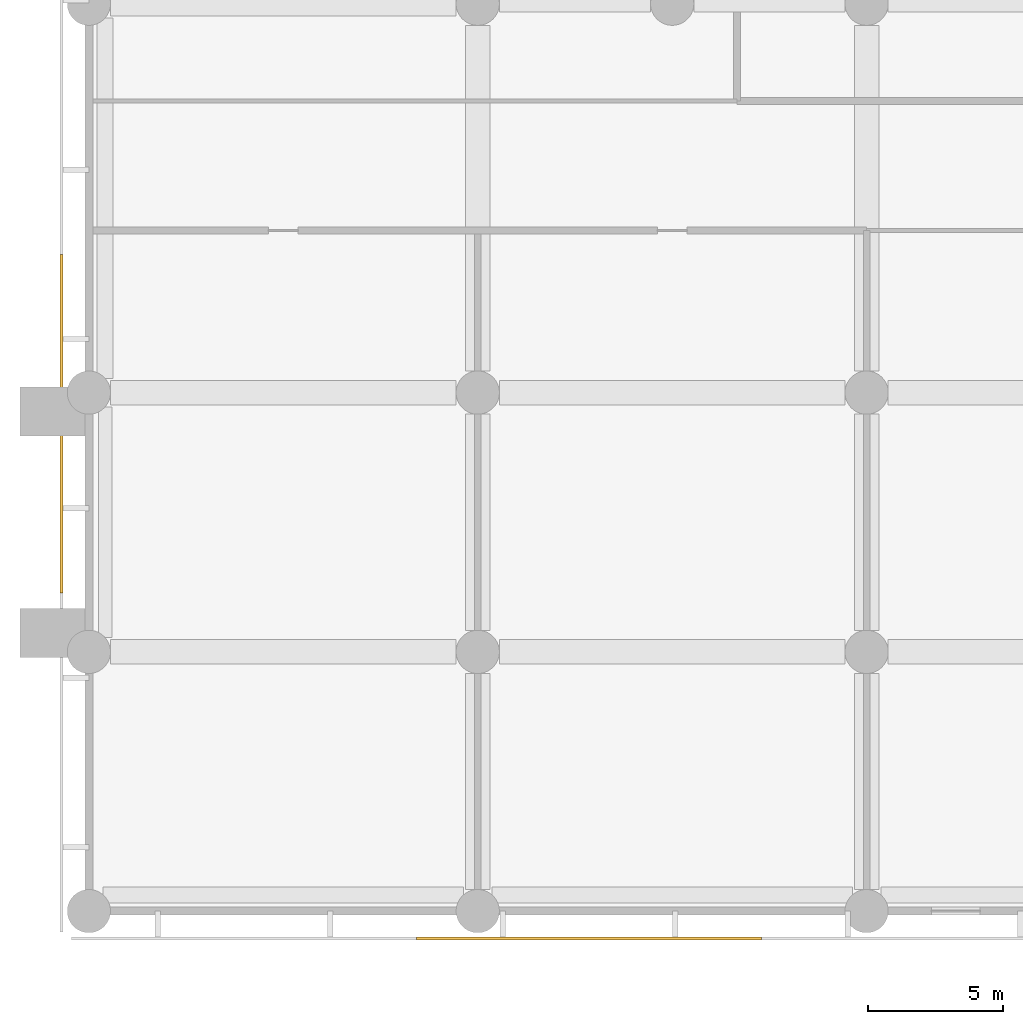
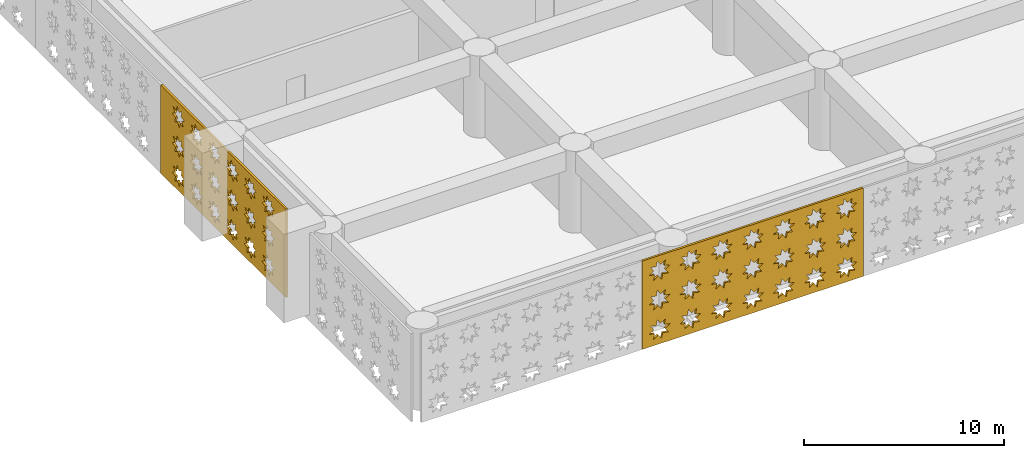
# One storey, part 14 of 30: 2 coverings.
"""IFC4 building model written with IfcOpenShell, lengths in metres."""

import ifcopenshell
import ifcopenshell.guid

model = None  # the IFC model being written
_history = None  # IfcOwnerHistory: only IFC2X3 demands one
_inside = {}  # id of a spatial element -> (the spatial element, [elements in it])
_under = {}  # id of a project, library or spatial element -> (it, [spatial elements below it])
_declared = {}  # id of a project -> (the project, [libraries it declares])
_typed = {}  # id of a type object -> (the type object, [elements of that type])
_made_of = {}  # id of a material, layer set ... -> (it, [elements and type objects made of it])


def new_model(schema):
    """Start an empty IFC model of exactly this schema.

    Asked for "IFC4X3", IfcOpenShell would pick the latest addendum, in which some entities
    have other attributes; the version numbers below select the first issue.
    IFC2X3 requires an IfcOwnerHistory on every rooted entity: one is made here for all.
    """
    global model, _history
    if schema == "IFC4X3":
        model = ifcopenshell.file(schema_version=(4, 3, 0, 0))
    else:
        model = ifcopenshell.file(schema=schema)
    _inside.clear()
    _under.clear()
    _declared.clear()
    _typed.clear()
    _made_of.clear()
    _history = None
    if model.schema == "IFC2X3":
        org = make("IfcOrganization", Name="unknown")
        user = make(
            "IfcPersonAndOrganization",
            ThePerson=make("IfcPerson", FamilyName="unknown"),
            TheOrganization=org,
        )
        app = make(
            "IfcApplication",
            ApplicationDeveloper=org,
            Version="unknown",
            ApplicationFullName="unknown",
            ApplicationIdentifier="unknown",
        )
        _history = make(
            "IfcOwnerHistory",
            OwningUser=user,
            OwningApplication=app,
            ChangeAction="ADDED",
            CreationDate=0,
        )
    return model


def make(cls, **values):
    """One entity of the class cls with the attributes given. An attribute that is None is left unset."""
    return model.create_entity(
        cls, **{name: value for name, value in values.items() if value is not None}
    )


def rooted(cls, **values):
    """An entity with a GlobalId (a new one), such as an element, a storey or a relation."""
    return make(cls, GlobalId=ifcopenshell.guid.new(), OwnerHistory=_history, **values)


def si_unit(unit_type, name, prefix=None):
    """IfcSIUnit, for example si_unit("LENGTHUNIT", "METRE", prefix="MILLI")."""
    return make("IfcSIUnit", UnitType=unit_type, Prefix=prefix, Name=name)


def assignment(units):
    """IfcUnitAssignment: the units of a project."""
    return None if units is None else make("IfcUnitAssignment", Units=units)


def point(xyz):
    """IfcCartesianPoint."""
    return None if xyz is None else make("IfcCartesianPoint", Coordinates=xyz)


def direction(xyz):
    """IfcDirection."""
    return None if xyz is None else make("IfcDirection", DirectionRatios=xyz)


def frame(location, z_axis=None, x_axis=None):
    """IfcAxis2Placement3D, a coordinate frame: its origin and axes. An axis left out is left unset."""
    return make(
        "IfcAxis2Placement3D",
        Location=point(location),
        Axis=direction(z_axis),
        RefDirection=direction(x_axis),
    )


def origin():
    """The frame at (0, 0, 0) with its axes left unset."""
    return frame((0.0, 0.0, 0.0))


def place(relative_to, where):
    """IfcLocalPlacement: puts the frame where relative to a parent placement (None: the world)."""
    return make(
        "IfcLocalPlacement", PlacementRelTo=relative_to, RelativePlacement=where
    )


def context(
    kind, dimensions, precision=None, world=None, true_north=None, identifier=None
):
    """IfcGeometricRepresentationContext, for example the 3D "Model" context."""
    return make(
        "IfcGeometricRepresentationContext",
        ContextIdentifier=identifier,
        ContextType=kind,
        CoordinateSpaceDimension=dimensions,
        Precision=precision,
        WorldCoordinateSystem=world,
        TrueNorth=true_north,
    )


def subcontext(parent, identifier, kind, view, scale=None):
    """IfcGeometricRepresentationSubContext, for example "Body" below "Model"."""
    return make(
        "IfcGeometricRepresentationSubContext",
        ContextIdentifier=identifier,
        ContextType=kind,
        ParentContext=parent,
        TargetScale=scale,
        TargetView=view,
    )


def project(units=None, contexts=None):
    """IfcProject with its units and contexts."""
    return rooted(
        "IfcProject",
        Name="project",
        RepresentationContexts=contexts,
        UnitsInContext=assignment(units),
    )


def spatial(cls, under=None, at=None, **own):
    """A site, building, storey or space (cls), placed at a placement, below another one or the project."""
    s = rooted(cls, ObjectPlacement=at, **own)
    if under is not None:
        _under.setdefault(under.id(), (under, []))[1].append(s)
    return s


def polyline(points):
    """IfcPolyline through the points."""
    return make("IfcPolyline", Points=[point(p) for p in points])


def outline(outer, holes=None, kind="AREA"):
    """IfcArbitraryClosedProfileDef: a profile drawn as a closed curve; with holes, ...WithVoids."""
    if holes is None:
        return make("IfcArbitraryClosedProfileDef", ProfileType=kind, OuterCurve=outer)
    return make(
        "IfcArbitraryProfileDefWithVoids",
        ProfileType=kind,
        OuterCurve=outer,
        InnerCurves=holes,
    )


def extrude(swept, where, along, depth):
    """IfcExtrudedAreaSolid: the profile swept, set in the frame where, extruded along a direction by depth."""
    return make(
        "IfcExtrudedAreaSolid",
        SweptArea=swept,
        Position=where,
        ExtrudedDirection=direction(along),
        Depth=depth,
    )


def shape(context_of_items, identifier, shape_type, items):
    """IfcShapeRepresentation: the items that make up one representation, for example the "Body"."""
    return make(
        "IfcShapeRepresentation",
        ContextOfItems=context_of_items,
        RepresentationIdentifier=identifier,
        RepresentationType=shape_type,
        Items=items,
    )


def material(Name=None, Category=None):
    """IfcMaterial."""
    return make("IfcMaterial", Name=Name, Category=Category)


def layer(
    of_material, thickness, ventilated=None, Name=None, Category=None, Priority=None
):
    """IfcMaterialLayer: one layer of a wall or slab, of a material (None: an air gap)."""
    return make(
        "IfcMaterialLayer",
        Material=of_material,
        LayerThickness=thickness,
        IsVentilated=ventilated,
        Name=Name,
        Category=Category,
        Priority=Priority,
    )


def layer_set(layers, Name=None):
    """IfcMaterialLayerSet."""
    return make("IfcMaterialLayerSet", MaterialLayers=layers, LayerSetName=Name)


def made_of(thing, what):
    """Note that an element or type object is made of a material, layer set ...; save() writes the relation."""
    if what is not None:
        _made_of.setdefault(what.id(), (what, []))[1].append(thing)
    return thing


def type_object(cls, material=None, **own):
    """A type object (cls), such as IfcWallType, which elements share."""
    return made_of(rooted(cls, **own), material)


def element(
    cls,
    number,
    at=None,
    inside=None,
    cuts=None,
    type_object=None,
    material=None,
    context=None,
    identifier="Body",
    shape_type=None,
    held_by="IfcProductDefinitionShape",
    body=None,
    shapes=None,
    **own,
):
    """One element of the class cls, such as IfcWall. Its Tag is "e" and its number.

    at: its placement. inside: the storey or other place that contains it. cuts: it is an
    opening in that element (IfcRelVoidsElement). A single representation is given by context,
    identifier, shape_type and body (its items); several are given by shapes. held_by: the class
    of the entity that holds the representations. save() writes the other relations.
    """
    e = rooted(cls, Tag="e%d" % number, ObjectPlacement=at, **own)
    if body is not None:
        shapes = [shape(context, identifier, shape_type, body)]
    if shapes is not None:
        e.Representation = make(held_by, Representations=shapes)
    if inside is not None:
        _inside.setdefault(inside.id(), (inside, []))[1].append(e)
    if cuts is not None:
        rooted(
            "IfcRelVoidsElement", RelatingBuildingElement=cuts, RelatedOpeningElement=e
        )
    if type_object is not None:
        _typed.setdefault(type_object.id(), (type_object, []))[1].append(e)
    return made_of(e, material)


def aggregate(whole, parts):
    """IfcRelAggregates: a whole, such as a stair, and the parts it consists of."""
    return rooted("IfcRelAggregates", RelatingObject=whole, RelatedObjects=parts)


def save(model, path):
    """Write the relations noted so far, then the file.

    IfcRelAggregates (storeys below a building ...), IfcRelContainedInSpatialStructure (elements
    in a storey), IfcRelDefinesByType, IfcRelAssociatesMaterial and IfcRelDeclares: one each for
    every whole, place, type object, material and project.
    """
    for whole, parts in _under.values():
        aggregate(whole, parts)
    for where, things in _inside.values():
        rooted(
            "IfcRelContainedInSpatialStructure",
            RelatedElements=things,
            RelatingStructure=where,
        )
    for kind, things in _typed.values():
        rooted("IfcRelDefinesByType", RelatedObjects=things, RelatingType=kind)
    for what, things in _made_of.values():
        rooted("IfcRelAssociatesMaterial", RelatedObjects=things, RelatingMaterial=what)
    for by, libraries in _declared.values():
        rooted("IfcRelDeclares", RelatingContext=by, RelatedDefinitions=libraries)
    model.write(path)


model = new_model("IFC4")

# Units and contexts
model_context = context("Model", 3, precision=1e-05, world=origin(), true_north=direction((0.0, 1.0)))
body_context = subcontext(model_context, "Body", "Model", "MODEL_VIEW")
ifc_project = project(units=[si_unit("LENGTHUNIT", "METRE"), si_unit("AREAUNIT", "SQUARE_METRE"), si_unit("VOLUMEUNIT", "CUBIC_METRE"), si_unit("PLANEANGLEUNIT", "RADIAN"), si_unit("MASSUNIT", "GRAM", prefix="KILO")], contexts=[model_context])

# Site, building, storey
site_placement = place(None, origin())
site = spatial("IfcSite", under=ifc_project, at=site_placement, CompositionType="ELEMENT")
building_placement = place(site_placement, origin())
building = spatial("IfcBuilding", under=site, at=building_placement, Name="Saffron Iwan Residences", CompositionType="ELEMENT")
storey_placement = place(building_placement, frame((0.0, 0.0, 7.800048828125)))
storey = spatial("IfcBuildingStorey", under=building, at=storey_placement, Name="L01", CompositionType="ELEMENT", Elevation=7.800048828125)

# Coverings
ifc_material = material(Name="Terracotta screen, precast concrete C40/50", Category="masonry")
ifc_layer = layer(ifc_material, 0.1201171875)
ifc_layer_set = layer_set([ifc_layer], Name="Terracotta screen, precast concrete C40/50")
covering_type = type_object("IfcCoveringType", Name="PODIUM SCREEN GIRIH", PredefinedType="CLADDING", material=ifc_layer_set)
covering_1_placement = place(storey_placement, frame((12.12744140625, -0.949951171875, -0.400146484375), z_axis=(0.0, -1.0, 0.0), x_axis=(1.0, 0.0, 0.0)))
element("IfcCovering", 1, at=covering_1_placement, inside=storey, type_object=covering_type, Name="SCREEN girih terracotta L01 F0.1", PredefinedType="CLADDING", context=body_context, shape_type="SweptSolid", body=[
    extrude(outline(polyline([(0.0, 0.0), (12.777587890625, 0.0), (12.777587890625, 5.39990234375), (0.0, 5.39990234375), (0.0, 0.0)]), holes=[polyline([(1.5966796875, 1.02099609375), (1.271484375, 1.0888671875), (1.333251953125, 1.41552734375), (1.05517578125, 1.2333984375), (0.867919921875, 1.508056640625), (0.7998046875, 1.1826171875), (0.47314453125, 1.244384765625), (0.6552734375, 0.96630859375), (0.380615234375, 0.779052734375), (0.7060546875, 0.711181640625), (0.644287109375, 0.384521484375), (0.92236328125, 0.56640625), (1.109619140625, 0.2919921875), (1.177490234375, 0.6171875), (1.50439453125, 0.555419921875), (1.322265625, 0.833740234375), (1.5966796875, 1.02099609375)]), polyline([(1.5966796875, 2.821044921875), (1.271484375, 2.888916015625), (1.333251953125, 3.215576171875), (1.05517578125, 3.033447265625), (0.867919921875, 3.30810546875), (0.7998046875, 2.982666015625), (0.47314453125, 3.04443359375), (0.6552734375, 2.766357421875), (0.380615234375, 2.5791015625), (0.7060546875, 2.510986328125), (0.644287109375, 2.1845703125), (0.92236328125, 2.366455078125), (1.109619140625, 2.091796875), (1.177490234375, 2.417236328125), (1.50439453125, 2.35546875), (1.322265625, 2.6337890625), (1.5966796875, 2.821044921875)]), polyline([(1.5966796875, 4.62109375), (1.271484375, 4.68896484375), (1.333251953125, 5.015380859375), (1.05517578125, 4.83349609375), (0.867919921875, 5.108154296875), (0.7998046875, 4.78271484375), (0.47314453125, 4.844482421875), (0.6552734375, 4.56640625), (0.380615234375, 4.37890625), (0.7060546875, 4.31103515625), (0.644287109375, 3.984619140625), (0.92236328125, 4.16650390625), (1.109619140625, 3.891845703125), (1.177490234375, 4.21728515625), (1.50439453125, 4.155517578125), (1.322265625, 4.43359375), (1.5966796875, 4.62109375)]), polyline([(3.396728515625, 1.02099609375), (3.0712890625, 1.0888671875), (3.13330078125, 1.41552734375), (2.85498046875, 1.2333984375), (2.667724609375, 1.508056640625), (2.599853515625, 1.1826171875), (2.273193359375, 1.244384765625), (2.455322265625, 0.96630859375), (2.1806640625, 0.779052734375), (2.506103515625, 0.711181640625), (2.4443359375, 0.384521484375), (2.722412109375, 0.56640625), (2.90966796875, 0.2919921875), (2.9775390625, 0.6171875), (3.30419921875, 0.555419921875), (3.122314453125, 0.833740234375), (3.396728515625, 1.02099609375)]), polyline([(3.396728515625, 2.821044921875), (3.0712890625, 2.888916015625), (3.13330078125, 3.215576171875), (2.85498046875, 3.033447265625), (2.667724609375, 3.30810546875), (2.599853515625, 2.982666015625), (2.273193359375, 3.04443359375), (2.455322265625, 2.766357421875), (2.1806640625, 2.5791015625), (2.506103515625, 2.510986328125), (2.4443359375, 2.1845703125), (2.722412109375, 2.366455078125), (2.90966796875, 2.091796875), (2.9775390625, 2.417236328125), (3.30419921875, 2.35546875), (3.122314453125, 2.6337890625), (3.396728515625, 2.821044921875)]), polyline([(3.396728515625, 4.62109375), (3.0712890625, 4.68896484375), (3.13330078125, 5.015380859375), (2.85498046875, 4.83349609375), (2.667724609375, 5.108154296875), (2.599853515625, 4.78271484375), (2.273193359375, 4.844482421875), (2.455322265625, 4.56640625), (2.1806640625, 4.37890625), (2.506103515625, 4.31103515625), (2.4443359375, 3.984619140625), (2.722412109375, 4.16650390625), (2.90966796875, 3.891845703125), (2.9775390625, 4.21728515625), (3.30419921875, 4.155517578125), (3.122314453125, 4.43359375), (3.396728515625, 4.62109375)]), polyline([(5.19677734375, 1.02099609375), (4.871337890625, 1.0888671875), (4.93310546875, 1.41552734375), (4.655029296875, 1.2333984375), (4.4677734375, 1.508056640625), (4.39990234375, 1.1826171875), (4.0732421875, 1.244384765625), (4.25537109375, 0.96630859375), (3.980712890625, 0.779052734375), (4.30615234375, 0.711181640625), (4.244384765625, 0.384521484375), (4.5224609375, 0.56640625), (4.709716796875, 0.2919921875), (4.777587890625, 0.6171875), (5.104248046875, 0.555419921875), (4.922119140625, 0.833740234375), (5.19677734375, 1.02099609375)]), polyline([(5.19677734375, 2.821044921875), (4.871337890625, 2.888916015625), (4.93310546875, 3.215576171875), (4.655029296875, 3.033447265625), (4.4677734375, 3.30810546875), (4.39990234375, 2.982666015625), (4.0732421875, 3.04443359375), (4.25537109375, 2.766357421875), (3.980712890625, 2.5791015625), (4.30615234375, 2.510986328125), (4.244384765625, 2.1845703125), (4.5224609375, 2.366455078125), (4.709716796875, 2.091796875), (4.777587890625, 2.417236328125), (5.104248046875, 2.35546875), (4.922119140625, 2.6337890625), (5.19677734375, 2.821044921875)]), polyline([(5.19677734375, 4.62109375), (4.871337890625, 4.68896484375), (4.93310546875, 5.015380859375), (4.655029296875, 4.83349609375), (4.4677734375, 5.108154296875), (4.39990234375, 4.78271484375), (4.0732421875, 4.844482421875), (4.25537109375, 4.56640625), (3.980712890625, 4.37890625), (4.30615234375, 4.31103515625), (4.244384765625, 3.984619140625), (4.5224609375, 4.16650390625), (4.709716796875, 3.891845703125), (4.777587890625, 4.21728515625), (5.104248046875, 4.155517578125), (4.922119140625, 4.43359375), (5.19677734375, 4.62109375)]), polyline([(6.996826171875, 1.02099609375), (6.67138671875, 1.0888671875), (6.733154296875, 1.41552734375), (6.455078125, 1.2333984375), (6.267822265625, 1.508056640625), (6.199951171875, 1.1826171875), (5.873291015625, 1.244384765625), (6.055419921875, 0.96630859375), (5.78076171875, 0.779052734375), (6.106201171875, 0.711181640625), (6.044189453125, 0.384521484375), (6.322509765625, 0.56640625), (6.509765625, 0.2919921875), (6.57763671875, 0.6171875), (6.904296875, 0.555419921875), (6.72216796875, 0.833740234375), (6.996826171875, 1.02099609375)]), polyline([(6.996826171875, 2.821044921875), (6.67138671875, 2.888916015625), (6.733154296875, 3.215576171875), (6.455078125, 3.033447265625), (6.267822265625, 3.30810546875), (6.199951171875, 2.982666015625), (5.873291015625, 3.04443359375), (6.055419921875, 2.766357421875), (5.78076171875, 2.5791015625), (6.106201171875, 2.510986328125), (6.044189453125, 2.1845703125), (6.322509765625, 2.366455078125), (6.509765625, 2.091796875), (6.57763671875, 2.417236328125), (6.904296875, 2.35546875), (6.72216796875, 2.6337890625), (6.996826171875, 2.821044921875)]), polyline([(6.996826171875, 4.62109375), (6.67138671875, 4.68896484375), (6.733154296875, 5.015380859375), (6.455078125, 4.83349609375), (6.267822265625, 5.108154296875), (6.199951171875, 4.78271484375), (5.873291015625, 4.844482421875), (6.055419921875, 4.56640625), (5.78076171875, 4.37890625), (6.106201171875, 4.31103515625), (6.044189453125, 3.984619140625), (6.322509765625, 4.16650390625), (6.509765625, 3.891845703125), (6.57763671875, 4.21728515625), (6.904296875, 4.155517578125), (6.72216796875, 4.43359375), (6.996826171875, 4.62109375)]), polyline([(8.796875, 1.02099609375), (8.471435546875, 1.0888671875), (8.533203125, 1.41552734375), (8.255126953125, 1.2333984375), (8.06787109375, 1.508056640625), (8.0, 1.1826171875), (7.673095703125, 1.244384765625), (7.855224609375, 0.96630859375), (7.580810546875, 0.779052734375), (7.906005859375, 0.711181640625), (7.84423828125, 0.384521484375), (8.122314453125, 0.56640625), (8.309814453125, 0.2919921875), (8.377685546875, 0.6171875), (8.704345703125, 0.555419921875), (8.522216796875, 0.833740234375), (8.796875, 1.02099609375)]), polyline([(8.796875, 2.821044921875), (8.471435546875, 2.888916015625), (8.533203125, 3.215576171875), (8.255126953125, 3.033447265625), (8.06787109375, 3.30810546875), (8.0, 2.982666015625), (7.673095703125, 3.04443359375), (7.855224609375, 2.766357421875), (7.580810546875, 2.5791015625), (7.906005859375, 2.510986328125), (7.84423828125, 2.1845703125), (8.122314453125, 2.366455078125), (8.309814453125, 2.091796875), (8.377685546875, 2.417236328125), (8.704345703125, 2.35546875), (8.522216796875, 2.6337890625), (8.796875, 2.821044921875)]), polyline([(8.796875, 4.62109375), (8.471435546875, 4.68896484375), (8.533203125, 5.015380859375), (8.255126953125, 4.83349609375), (8.06787109375, 5.108154296875), (8.0, 4.78271484375), (7.673095703125, 4.844482421875), (7.855224609375, 4.56640625), (7.580810546875, 4.37890625), (7.906005859375, 4.31103515625), (7.84423828125, 3.984619140625), (8.122314453125, 4.16650390625), (8.309814453125, 3.891845703125), (8.377685546875, 4.21728515625), (8.704345703125, 4.155517578125), (8.522216796875, 4.43359375), (8.796875, 4.62109375)]), polyline([(10.5966796875, 1.02099609375), (10.271484375, 1.0888671875), (10.333251953125, 1.41552734375), (10.05517578125, 1.2333984375), (9.867919921875, 1.508056640625), (9.7998046875, 1.1826171875), (9.47314453125, 1.244384765625), (9.6552734375, 0.96630859375), (9.380615234375, 0.779052734375), (9.7060546875, 0.711181640625), (9.644287109375, 0.384521484375), (9.92236328125, 0.56640625), (10.109619140625, 0.2919921875), (10.177490234375, 0.6171875), (10.50439453125, 0.555419921875), (10.322265625, 0.833740234375), (10.5966796875, 1.02099609375)]), polyline([(10.5966796875, 2.821044921875), (10.271484375, 2.888916015625), (10.333251953125, 3.215576171875), (10.05517578125, 3.033447265625), (9.867919921875, 3.30810546875), (9.7998046875, 2.982666015625), (9.47314453125, 3.04443359375), (9.6552734375, 2.766357421875), (9.380615234375, 2.5791015625), (9.7060546875, 2.510986328125), (9.644287109375, 2.1845703125), (9.92236328125, 2.366455078125), (10.109619140625, 2.091796875), (10.177490234375, 2.417236328125), (10.50439453125, 2.35546875), (10.322265625, 2.6337890625), (10.5966796875, 2.821044921875)]), polyline([(10.5966796875, 4.62109375), (10.271484375, 4.68896484375), (10.333251953125, 5.015380859375), (10.05517578125, 4.83349609375), (9.867919921875, 5.108154296875), (9.7998046875, 4.78271484375), (9.47314453125, 4.844482421875), (9.6552734375, 4.56640625), (9.380615234375, 4.37890625), (9.7060546875, 4.31103515625), (9.644287109375, 3.984619140625), (9.92236328125, 4.16650390625), (10.109619140625, 3.891845703125), (10.177490234375, 4.21728515625), (10.50439453125, 4.155517578125), (10.322265625, 4.43359375), (10.5966796875, 4.62109375)]), polyline([(12.396728515625, 1.02099609375), (12.0712890625, 1.0888671875), (12.13330078125, 1.41552734375), (11.85498046875, 1.2333984375), (11.667724609375, 1.508056640625), (11.599853515625, 1.1826171875), (11.273193359375, 1.244384765625), (11.455322265625, 0.96630859375), (11.1806640625, 0.779052734375), (11.506103515625, 0.711181640625), (11.4443359375, 0.384521484375), (11.722412109375, 0.56640625), (11.90966796875, 0.2919921875), (11.9775390625, 0.6171875), (12.30419921875, 0.555419921875), (12.122314453125, 0.833740234375), (12.396728515625, 1.02099609375)]), polyline([(12.396728515625, 2.821044921875), (12.0712890625, 2.888916015625), (12.13330078125, 3.215576171875), (11.85498046875, 3.033447265625), (11.667724609375, 3.30810546875), (11.599853515625, 2.982666015625), (11.273193359375, 3.04443359375), (11.455322265625, 2.766357421875), (11.1806640625, 2.5791015625), (11.506103515625, 2.510986328125), (11.4443359375, 2.1845703125), (11.722412109375, 2.366455078125), (11.90966796875, 2.091796875), (11.9775390625, 2.417236328125), (12.30419921875, 2.35546875), (12.122314453125, 2.6337890625), (12.396728515625, 2.821044921875)]), polyline([(12.396728515625, 4.62109375), (12.0712890625, 4.68896484375), (12.13330078125, 5.015380859375), (11.85498046875, 4.83349609375), (11.667724609375, 5.108154296875), (11.599853515625, 4.78271484375), (11.273193359375, 4.844482421875), (11.455322265625, 4.56640625), (11.1806640625, 4.37890625), (11.506103515625, 4.31103515625), (11.4443359375, 3.984619140625), (11.722412109375, 4.16650390625), (11.90966796875, 3.891845703125), (11.9775390625, 4.21728515625), (12.30419921875, 4.155517578125), (12.122314453125, 4.43359375), (12.396728515625, 4.62109375)])]), origin(), (0.0, 0.0, 1.0), 0.1201171875),
])
covering_2_placement = place(storey_placement, frame((-0.949951171875, 24.3212890625, -0.400146484375), z_axis=(-1.0, 0.0, 0.0), x_axis=(0.0, -1.0, 0.0)))
element("IfcCovering", 2, at=covering_2_placement, inside=storey, type_object=covering_type, Name="SCREEN girih terracotta L01 F3.5", PredefinedType="CLADDING", context=body_context, shape_type="SweptSolid", body=[
    extrude(outline(polyline([(0.0, 0.0), (12.545654296875, 0.0), (12.545654296875, 5.39990234375), (0.0, 5.39990234375), (0.0, 0.0)]), holes=[polyline([(2.380859375, 1.02099609375), (2.0556640625, 1.0888671875), (2.1171875, 1.41552734375), (1.839111328125, 1.2333984375), (1.65185546875, 1.508056640625), (1.583984375, 1.1826171875), (1.25732421875, 1.244384765625), (1.439453125, 0.96630859375), (1.164794921875, 0.779052734375), (1.490234375, 0.711181640625), (1.428466796875, 0.384521484375), (1.70654296875, 0.56640625), (1.893798828125, 0.2919921875), (1.9619140625, 0.6171875), (2.288330078125, 0.555419921875), (2.106201171875, 0.833740234375), (2.380859375, 1.02099609375)]), polyline([(2.380859375, 2.821044921875), (2.0556640625, 2.888916015625), (2.1171875, 3.215576171875), (1.839111328125, 3.033447265625), (1.65185546875, 3.30810546875), (1.583984375, 2.982666015625), (1.25732421875, 3.04443359375), (1.439453125, 2.766357421875), (1.164794921875, 2.5791015625), (1.490234375, 2.510986328125), (1.428466796875, 2.1845703125), (1.70654296875, 2.366455078125), (1.893798828125, 2.091796875), (1.9619140625, 2.417236328125), (2.288330078125, 2.35546875), (2.106201171875, 2.6337890625), (2.380859375, 2.821044921875)]), polyline([(2.380859375, 4.62109375), (2.0556640625, 4.68896484375), (2.1171875, 5.015380859375), (1.839111328125, 4.83349609375), (1.65185546875, 5.108154296875), (1.583984375, 4.78271484375), (1.25732421875, 4.844482421875), (1.439453125, 4.56640625), (1.164794921875, 4.37890625), (1.490234375, 4.31103515625), (1.428466796875, 3.984619140625), (1.70654296875, 4.16650390625), (1.893798828125, 3.891845703125), (1.9619140625, 4.21728515625), (2.288330078125, 4.155517578125), (2.106201171875, 4.43359375), (2.380859375, 4.62109375)]), polyline([(4.180908203125, 1.02099609375), (3.855712890625, 1.0888671875), (3.917236328125, 1.41552734375), (3.63916015625, 1.2333984375), (3.451904296875, 1.508056640625), (3.384033203125, 1.1826171875), (3.057373046875, 1.244384765625), (3.239501953125, 0.96630859375), (2.96484375, 0.779052734375), (3.290283203125, 0.711181640625), (3.228515625, 0.384521484375), (3.506591796875, 0.56640625), (3.69384765625, 0.2919921875), (3.76171875, 0.6171875), (4.08837890625, 0.555419921875), (3.90625, 0.833740234375), (4.180908203125, 1.02099609375)]), polyline([(4.180908203125, 2.821044921875), (3.855712890625, 2.888916015625), (3.917236328125, 3.215576171875), (3.63916015625, 3.033447265625), (3.451904296875, 3.30810546875), (3.384033203125, 2.982666015625), (3.057373046875, 3.04443359375), (3.239501953125, 2.766357421875), (2.96484375, 2.5791015625), (3.290283203125, 2.510986328125), (3.228515625, 2.1845703125), (3.506591796875, 2.366455078125), (3.69384765625, 2.091796875), (3.76171875, 2.417236328125), (4.08837890625, 2.35546875), (3.90625, 2.6337890625), (4.180908203125, 2.821044921875)]), polyline([(4.180908203125, 4.62109375), (3.855712890625, 4.68896484375), (3.917236328125, 5.015380859375), (3.63916015625, 4.83349609375), (3.451904296875, 5.108154296875), (3.384033203125, 4.78271484375), (3.057373046875, 4.844482421875), (3.239501953125, 4.56640625), (2.96484375, 4.37890625), (3.290283203125, 4.31103515625), (3.228515625, 3.984619140625), (3.506591796875, 4.16650390625), (3.69384765625, 3.891845703125), (3.76171875, 4.21728515625), (4.08837890625, 4.155517578125), (3.90625, 4.43359375), (4.180908203125, 4.62109375)]), polyline([(5.98095703125, 1.02099609375), (5.655517578125, 1.0888671875), (5.71728515625, 1.41552734375), (5.439208984375, 1.2333984375), (5.251953125, 1.508056640625), (5.18408203125, 1.1826171875), (4.857421875, 1.244384765625), (5.039306640625, 0.96630859375), (4.764892578125, 0.779052734375), (5.090087890625, 0.711181640625), (5.0283203125, 0.384521484375), (5.306396484375, 0.56640625), (5.493896484375, 0.2919921875), (5.561767578125, 0.6171875), (5.888427734375, 0.555419921875), (5.706298828125, 0.833740234375), (5.98095703125, 1.02099609375)]), polyline([(5.98095703125, 2.821044921875), (5.655517578125, 2.888916015625), (5.71728515625, 3.215576171875), (5.439208984375, 3.033447265625), (5.251953125, 3.30810546875), (5.18408203125, 2.982666015625), (4.857421875, 3.04443359375), (5.039306640625, 2.766357421875), (4.764892578125, 2.5791015625), (5.090087890625, 2.510986328125), (5.0283203125, 2.1845703125), (5.306396484375, 2.366455078125), (5.493896484375, 2.091796875), (5.561767578125, 2.417236328125), (5.888427734375, 2.35546875), (5.706298828125, 2.6337890625), (5.98095703125, 2.821044921875)]), polyline([(5.98095703125, 4.62109375), (5.655517578125, 4.68896484375), (5.71728515625, 5.015380859375), (5.439208984375, 4.83349609375), (5.251953125, 5.108154296875), (5.18408203125, 4.78271484375), (4.857421875, 4.844482421875), (5.039306640625, 4.56640625), (4.764892578125, 4.37890625), (5.090087890625, 4.31103515625), (5.0283203125, 3.984619140625), (5.306396484375, 4.16650390625), (5.493896484375, 3.891845703125), (5.561767578125, 4.21728515625), (5.888427734375, 4.155517578125), (5.706298828125, 4.43359375), (5.98095703125, 4.62109375)]), polyline([(7.781005859375, 1.02099609375), (7.45556640625, 1.0888671875), (7.517333984375, 1.41552734375), (7.2392578125, 1.2333984375), (7.052001953125, 1.508056640625), (6.98388671875, 1.1826171875), (6.6572265625, 1.244384765625), (6.83935546875, 0.96630859375), (6.564697265625, 0.779052734375), (6.89013671875, 0.711181640625), (6.828369140625, 0.384521484375), (7.1064453125, 0.56640625), (7.293701171875, 0.2919921875), (7.36181640625, 0.6171875), (7.6884765625, 0.555419921875), (7.50634765625, 0.833740234375), (7.781005859375, 1.02099609375)]), polyline([(7.781005859375, 2.821044921875), (7.45556640625, 2.888916015625), (7.517333984375, 3.215576171875), (7.2392578125, 3.033447265625), (7.052001953125, 3.30810546875), (6.98388671875, 2.982666015625), (6.6572265625, 3.04443359375), (6.83935546875, 2.766357421875), (6.564697265625, 2.5791015625), (6.89013671875, 2.510986328125), (6.828369140625, 2.1845703125), (7.1064453125, 2.366455078125), (7.293701171875, 2.091796875), (7.36181640625, 2.417236328125), (7.6884765625, 2.35546875), (7.50634765625, 2.6337890625), (7.781005859375, 2.821044921875)]), polyline([(7.781005859375, 4.62109375), (7.45556640625, 4.68896484375), (7.517333984375, 5.015380859375), (7.2392578125, 4.83349609375), (7.052001953125, 5.108154296875), (6.98388671875, 4.78271484375), (6.6572265625, 4.844482421875), (6.83935546875, 4.56640625), (6.564697265625, 4.37890625), (6.89013671875, 4.31103515625), (6.828369140625, 3.984619140625), (7.1064453125, 4.16650390625), (7.293701171875, 3.891845703125), (7.36181640625, 4.21728515625), (7.6884765625, 4.155517578125), (7.50634765625, 4.43359375), (7.781005859375, 4.62109375)]), polyline([(9.580810546875, 1.02099609375), (9.255615234375, 1.0888671875), (9.3173828125, 1.41552734375), (9.039306640625, 1.2333984375), (8.851806640625, 1.508056640625), (8.783935546875, 1.1826171875), (8.457275390625, 1.244384765625), (8.639404296875, 0.96630859375), (8.36474609375, 0.779052734375), (8.690185546875, 0.711181640625), (8.62841796875, 0.384521484375), (8.906494140625, 0.56640625), (9.09375, 0.2919921875), (9.161865234375, 0.6171875), (9.48828125, 0.555419921875), (9.306396484375, 0.833740234375), (9.580810546875, 1.02099609375)]), polyline([(9.580810546875, 2.821044921875), (9.255615234375, 2.888916015625), (9.3173828125, 3.215576171875), (9.039306640625, 3.033447265625), (8.851806640625, 3.30810546875), (8.783935546875, 2.982666015625), (8.457275390625, 3.04443359375), (8.639404296875, 2.766357421875), (8.36474609375, 2.5791015625), (8.690185546875, 2.510986328125), (8.62841796875, 2.1845703125), (8.906494140625, 2.366455078125), (9.09375, 2.091796875), (9.161865234375, 2.417236328125), (9.48828125, 2.35546875), (9.306396484375, 2.6337890625), (9.580810546875, 2.821044921875)]), polyline([(9.580810546875, 4.62109375), (9.255615234375, 4.68896484375), (9.3173828125, 5.015380859375), (9.039306640625, 4.83349609375), (8.851806640625, 5.108154296875), (8.783935546875, 4.78271484375), (8.457275390625, 4.844482421875), (8.639404296875, 4.56640625), (8.36474609375, 4.37890625), (8.690185546875, 4.31103515625), (8.62841796875, 3.984619140625), (8.906494140625, 4.16650390625), (9.09375, 3.891845703125), (9.161865234375, 4.21728515625), (9.48828125, 4.155517578125), (9.306396484375, 4.43359375), (9.580810546875, 4.62109375)]), polyline([(11.380859375, 1.02099609375), (11.0556640625, 1.0888671875), (11.1171875, 1.41552734375), (10.839111328125, 1.2333984375), (10.65185546875, 1.508056640625), (10.583984375, 1.1826171875), (10.25732421875, 1.244384765625), (10.439453125, 0.96630859375), (10.164794921875, 0.779052734375), (10.490234375, 0.711181640625), (10.428466796875, 0.384521484375), (10.70654296875, 0.56640625), (10.893798828125, 0.2919921875), (10.9619140625, 0.6171875), (11.288330078125, 0.555419921875), (11.106201171875, 0.833740234375), (11.380859375, 1.02099609375)]), polyline([(11.380859375, 2.821044921875), (11.0556640625, 2.888916015625), (11.1171875, 3.215576171875), (10.839111328125, 3.033447265625), (10.65185546875, 3.30810546875), (10.583984375, 2.982666015625), (10.25732421875, 3.04443359375), (10.439453125, 2.766357421875), (10.164794921875, 2.5791015625), (10.490234375, 2.510986328125), (10.428466796875, 2.1845703125), (10.70654296875, 2.366455078125), (10.893798828125, 2.091796875), (10.9619140625, 2.417236328125), (11.288330078125, 2.35546875), (11.106201171875, 2.6337890625), (11.380859375, 2.821044921875)]), polyline([(11.380859375, 4.62109375), (11.0556640625, 4.68896484375), (11.1171875, 5.015380859375), (10.839111328125, 4.83349609375), (10.65185546875, 5.108154296875), (10.583984375, 4.78271484375), (10.25732421875, 4.844482421875), (10.439453125, 4.56640625), (10.164794921875, 4.37890625), (10.490234375, 4.31103515625), (10.428466796875, 3.984619140625), (10.70654296875, 4.16650390625), (10.893798828125, 3.891845703125), (10.9619140625, 4.21728515625), (11.288330078125, 4.155517578125), (11.106201171875, 4.43359375), (11.380859375, 4.62109375)])]), origin(), (0.0, 0.0, 1.0), 0.1201171875),
])

save(model, "model.ifc")
